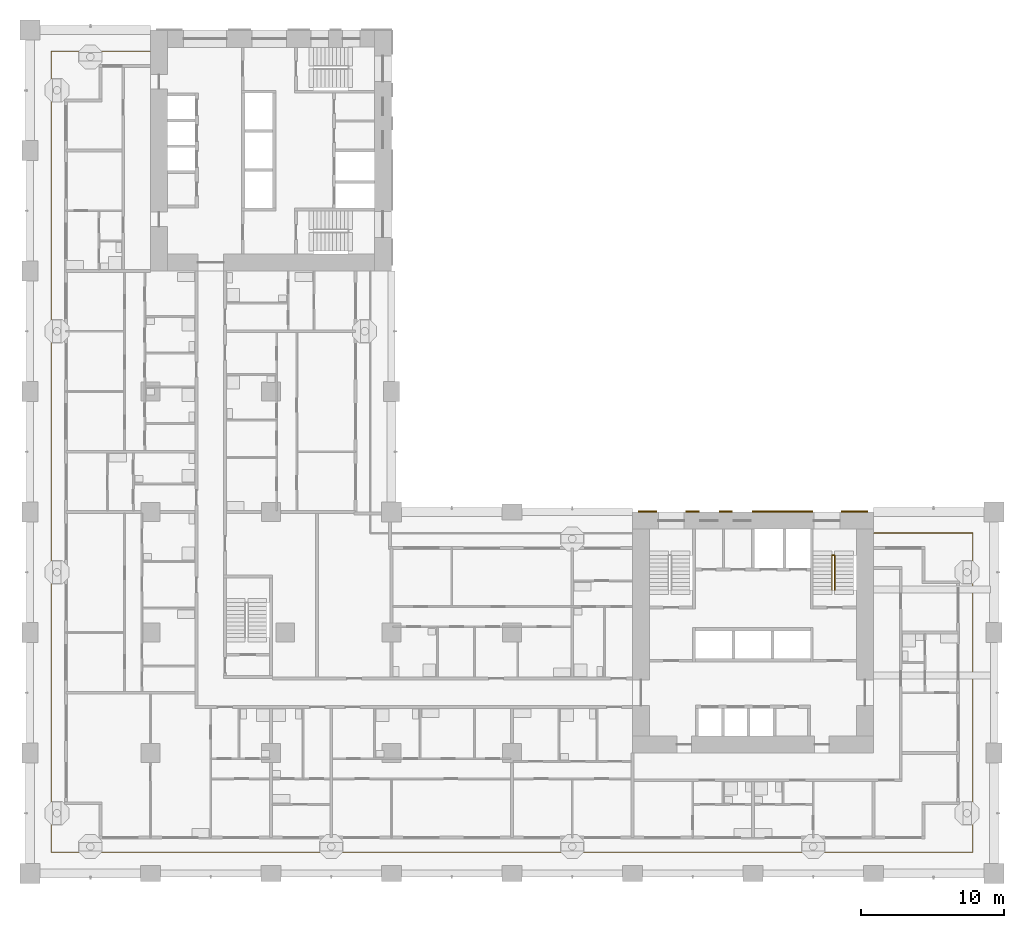
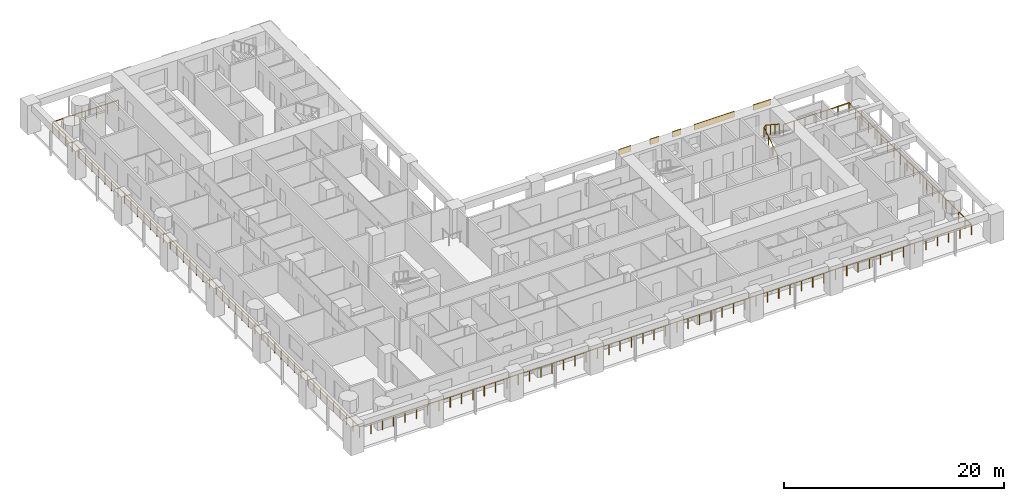
# One storey, part 14 of 21: 5 shading devices, 2 railings.
"""IFC4 building model written with IfcOpenShell, lengths in metres."""

from ifc_helpers import new_model, si_unit, direction, frame, origin, origin_2d, place, context, subcontext, project, spatial, rectangle, circle, extrude, material, layer, layer_set, type_object, element, save


model = new_model("IFC4")

# Units and contexts
model_context = context("Model", 3, precision=1e-05, world=origin(), true_north=direction((0.0, 1.0)))
body_context = subcontext(model_context, "Body", "Model", "MODEL_VIEW")
ifc_project = project(units=[si_unit("LENGTHUNIT", "METRE"), si_unit("AREAUNIT", "SQUARE_METRE"), si_unit("VOLUMEUNIT", "CUBIC_METRE"), si_unit("PLANEANGLEUNIT", "RADIAN"), si_unit("MASSUNIT", "GRAM", prefix="KILO")], contexts=[model_context])

# Site, building, storey
site_placement = place(None, origin())
site = spatial("IfcSite", under=ifc_project, at=site_placement, CompositionType="ELEMENT")
building_placement = place(site_placement, origin())
building = spatial("IfcBuilding", under=site, at=building_placement, Name="Vermilion Gate Residences", CompositionType="ELEMENT")
storey_placement = place(building_placement, frame((0.0, 0.0, 67.199951171875)))
storey = spatial("IfcBuildingStorey", under=building, at=storey_placement, Name="L16", CompositionType="ELEMENT", Elevation=67.199951171875)

# Railings
ifc_material_1 = material(Name="Stainless steel and toughened glass", Category="steel")
railing_type_1 = type_object("IfcRailingType", Name="LOGGIA GUARD STEEL AND GLASS 1200", PredefinedType="GUARDRAIL", material=ifc_material_1)
railing_1_placement = place(storey_placement, frame((8.3779296875, 57.324951171875, 0.0)))
element("IfcRailing", 1, at=railing_1_placement, inside=storey, type_object=railing_type_1, Name="Loggia guard", PredefinedType="GUARDRAIL", context=body_context, shape_type="SweptSolid", body=[
    extrude(circle(Radius=0.030029296875, at=origin_2d()), frame((0.0, 0.0, 1.169921875), z_axis=(-1.0, 0.0, 0.0), x_axis=(0.0, -1.0, 0.0)), (0.0, 0.0, 1.0), 6.90283203125),
    extrude(circle(Radius=0.030029296875, at=origin_2d()), frame((-6.90283203125, 0.0, 1.169921875), z_axis=(0.0, -1.0, 0.0), x_axis=(1.0, 0.0, 0.0)), (0.0, 0.0, 1.0), 55.849853515625),
    extrude(circle(Radius=0.030029296875, at=origin_2d()), frame((-6.90283203125, -55.849853515625, 1.169921875), z_axis=(1.0, 0.0, 0.0), x_axis=(0.0, 1.0, 0.0)), (0.0, 0.0, 1.0), 64.25),
    extrude(circle(Radius=0.030029296875, at=origin_2d()), frame((57.34716796875, -55.849853515625, 1.169921875), z_axis=(0.0, 1.0, 0.0), x_axis=(-1.0, 0.0, 0.0)), (0.0, 0.0, 1.0), 22.25),
    extrude(circle(Radius=0.030029296875, at=origin_2d()), frame((57.34716796875, -33.599853515625, 1.169921875), z_axis=(-1.0, 0.0, 0.0), x_axis=(0.0, -1.0, 0.0)), (0.0, 0.0, 1.0), 6.903076171875),
    extrude(circle(Radius=0.02490234375, at=origin_2d()), origin(), (0.0, 0.0, 1.0), 1.139892578125),
    extrude(circle(Radius=0.02490234375, at=origin_2d()), frame((-1.150390625, 0.0, 0.0)), (0.0, 0.0, 1.0), 1.139892578125),
    extrude(circle(Radius=0.02490234375, at=origin_2d()), frame((-2.301025390625, 0.0, 0.0)), (0.0, 0.0, 1.0), 1.139892578125),
    extrude(circle(Radius=0.02490234375, at=origin_2d()), frame((-3.451416015625, 0.0, 0.0)), (0.0, 0.0, 1.0), 1.139892578125),
    extrude(circle(Radius=0.02490234375, at=origin_2d()), frame((-4.601806640625, 0.0, 0.0)), (0.0, 0.0, 1.0), 1.139892578125),
    extrude(circle(Radius=0.02490234375, at=origin_2d()), frame((-5.75244140625, 0.0, 0.0)), (0.0, 0.0, 1.0), 1.139892578125),
    extrude(circle(Radius=0.02490234375, at=origin_2d()), frame((-6.90283203125, 0.0, 0.0)), (0.0, 0.0, 1.0), 1.139892578125),
    extrude(circle(Radius=0.02490234375, at=origin_2d()), frame((-6.90283203125, -1.188232421875, 0.0)), (0.0, 0.0, 1.0), 1.139892578125),
    extrude(circle(Radius=0.02490234375, at=origin_2d()), frame((-6.90283203125, -2.376708984375, 0.0)), (0.0, 0.0, 1.0), 1.139892578125),
    extrude(circle(Radius=0.02490234375, at=origin_2d()), frame((-6.90283203125, -3.56494140625, 0.0)), (0.0, 0.0, 1.0), 1.139892578125),
    extrude(circle(Radius=0.02490234375, at=origin_2d()), frame((-6.90283203125, -4.753173828125, 0.0)), (0.0, 0.0, 1.0), 1.139892578125),
    extrude(circle(Radius=0.02490234375, at=origin_2d()), frame((-6.90283203125, -5.94140625, 0.0)), (0.0, 0.0, 1.0), 1.139892578125),
    extrude(circle(Radius=0.02490234375, at=origin_2d()), frame((-6.90283203125, -7.1298828125, 0.0)), (0.0, 0.0, 1.0), 1.139892578125),
    extrude(circle(Radius=0.02490234375, at=origin_2d()), frame((-6.90283203125, -8.318115234375, 0.0)), (0.0, 0.0, 1.0), 1.139892578125),
    extrude(circle(Radius=0.02490234375, at=origin_2d()), frame((-6.90283203125, -9.50634765625, 0.0)), (0.0, 0.0, 1.0), 1.139892578125),
    extrude(circle(Radius=0.02490234375, at=origin_2d()), frame((-6.90283203125, -10.694580078125, 0.0)), (0.0, 0.0, 1.0), 1.139892578125),
    extrude(circle(Radius=0.02490234375, at=origin_2d()), frame((-6.90283203125, -11.883056640625, 0.0)), (0.0, 0.0, 1.0), 1.139892578125),
    extrude(circle(Radius=0.02490234375, at=origin_2d()), frame((-6.90283203125, -13.0712890625, 0.0)), (0.0, 0.0, 1.0), 1.139892578125),
    extrude(circle(Radius=0.02490234375, at=origin_2d()), frame((-6.90283203125, -14.259521484375, 0.0)), (0.0, 0.0, 1.0), 1.139892578125),
    extrude(circle(Radius=0.02490234375, at=origin_2d()), frame((-6.90283203125, -15.44775390625, 0.0)), (0.0, 0.0, 1.0), 1.139892578125),
    extrude(circle(Radius=0.02490234375, at=origin_2d()), frame((-6.90283203125, -16.63623046875, 0.0)), (0.0, 0.0, 1.0), 1.139892578125),
    extrude(circle(Radius=0.02490234375, at=origin_2d()), frame((-6.90283203125, -17.824462890625, 0.0)), (0.0, 0.0, 1.0), 1.139892578125),
    extrude(circle(Radius=0.02490234375, at=origin_2d()), frame((-6.90283203125, -19.0126953125, 0.0)), (0.0, 0.0, 1.0), 1.139892578125),
    extrude(circle(Radius=0.02490234375, at=origin_2d()), frame((-6.90283203125, -20.200927734375, 0.0)), (0.0, 0.0, 1.0), 1.139892578125),
    extrude(circle(Radius=0.02490234375, at=origin_2d()), frame((-6.90283203125, -21.389404296875, 0.0)), (0.0, 0.0, 1.0), 1.139892578125),
    extrude(circle(Radius=0.02490234375, at=origin_2d()), frame((-6.90283203125, -22.57763671875, 0.0)), (0.0, 0.0, 1.0), 1.139892578125),
    extrude(circle(Radius=0.02490234375, at=origin_2d()), frame((-6.90283203125, -23.765869140625, 0.0)), (0.0, 0.0, 1.0), 1.139892578125),
    extrude(circle(Radius=0.02490234375, at=origin_2d()), frame((-6.90283203125, -24.9541015625, 0.0)), (0.0, 0.0, 1.0), 1.139892578125),
    extrude(circle(Radius=0.02490234375, at=origin_2d()), frame((-6.90283203125, -26.142578125, 0.0)), (0.0, 0.0, 1.0), 1.139892578125),
    extrude(circle(Radius=0.02490234375, at=origin_2d()), frame((-6.90283203125, -27.330810546875, 0.0)), (0.0, 0.0, 1.0), 1.139892578125),
    extrude(circle(Radius=0.02490234375, at=origin_2d()), frame((-6.90283203125, -28.51904296875, 0.0)), (0.0, 0.0, 1.0), 1.139892578125),
    extrude(circle(Radius=0.02490234375, at=origin_2d()), frame((-6.90283203125, -29.707275390625, 0.0)), (0.0, 0.0, 1.0), 1.139892578125),
    extrude(circle(Radius=0.02490234375, at=origin_2d()), frame((-6.90283203125, -30.895751953125, 0.0)), (0.0, 0.0, 1.0), 1.139892578125),
    extrude(circle(Radius=0.02490234375, at=origin_2d()), frame((-6.90283203125, -32.083984375, 0.0)), (0.0, 0.0, 1.0), 1.139892578125),
    extrude(circle(Radius=0.02490234375, at=origin_2d()), frame((-6.90283203125, -33.272216796875, 0.0)), (0.0, 0.0, 1.0), 1.139892578125),
    extrude(circle(Radius=0.02490234375, at=origin_2d()), frame((-6.90283203125, -34.46044921875, 0.0)), (0.0, 0.0, 1.0), 1.139892578125),
    extrude(circle(Radius=0.02490234375, at=origin_2d()), frame((-6.90283203125, -35.64892578125, 0.0)), (0.0, 0.0, 1.0), 1.139892578125),
    extrude(circle(Radius=0.02490234375, at=origin_2d()), frame((-6.90283203125, -36.837158203125, 0.0)), (0.0, 0.0, 1.0), 1.139892578125),
    extrude(circle(Radius=0.02490234375, at=origin_2d()), frame((-6.90283203125, -38.025390625, 0.0)), (0.0, 0.0, 1.0), 1.139892578125),
    extrude(circle(Radius=0.02490234375, at=origin_2d()), frame((-6.90283203125, -39.213623046875, 0.0)), (0.0, 0.0, 1.0), 1.139892578125),
    extrude(circle(Radius=0.02490234375, at=origin_2d()), frame((-6.90283203125, -40.402099609375, 0.0)), (0.0, 0.0, 1.0), 1.139892578125),
    extrude(circle(Radius=0.02490234375, at=origin_2d()), frame((-6.90283203125, -41.59033203125, 0.0)), (0.0, 0.0, 1.0), 1.139892578125),
    extrude(circle(Radius=0.02490234375, at=origin_2d()), frame((-6.90283203125, -42.778564453125, 0.0)), (0.0, 0.0, 1.0), 1.139892578125),
    extrude(circle(Radius=0.02490234375, at=origin_2d()), frame((-6.90283203125, -43.966796875, 0.0)), (0.0, 0.0, 1.0), 1.139892578125),
    extrude(circle(Radius=0.02490234375, at=origin_2d()), frame((-6.90283203125, -45.1552734375, 0.0)), (0.0, 0.0, 1.0), 1.139892578125),
    extrude(circle(Radius=0.02490234375, at=origin_2d()), frame((-6.90283203125, -46.343505859375, 0.0)), (0.0, 0.0, 1.0), 1.139892578125),
    extrude(circle(Radius=0.02490234375, at=origin_2d()), frame((-6.90283203125, -47.53173828125, 0.0)), (0.0, 0.0, 1.0), 1.139892578125),
    extrude(circle(Radius=0.02490234375, at=origin_2d()), frame((-6.90283203125, -48.719970703125, 0.0)), (0.0, 0.0, 1.0), 1.139892578125),
    extrude(circle(Radius=0.02490234375, at=origin_2d()), frame((-6.90283203125, -49.908447265625, 0.0)), (0.0, 0.0, 1.0), 1.139892578125),
    extrude(circle(Radius=0.02490234375, at=origin_2d()), frame((-6.90283203125, -51.0966796875, 0.0)), (0.0, 0.0, 1.0), 1.139892578125),
    extrude(circle(Radius=0.02490234375, at=origin_2d()), frame((-6.90283203125, -52.284912109375, 0.0)), (0.0, 0.0, 1.0), 1.139892578125),
    extrude(circle(Radius=0.02490234375, at=origin_2d()), frame((-6.90283203125, -53.47314453125, 0.0)), (0.0, 0.0, 1.0), 1.139892578125),
    extrude(circle(Radius=0.02490234375, at=origin_2d()), frame((-6.90283203125, -54.66162109375, 0.0)), (0.0, 0.0, 1.0), 1.139892578125),
    extrude(circle(Radius=0.02490234375, at=origin_2d()), frame((-6.90283203125, -55.849853515625, 0.0)), (0.0, 0.0, 1.0), 1.139892578125),
    extrude(circle(Radius=0.02490234375, at=origin_2d()), frame((-5.713134765625, -55.849853515625, 0.0)), (0.0, 0.0, 1.0), 1.139892578125),
    extrude(circle(Radius=0.02490234375, at=origin_2d()), frame((-4.523193359375, -55.849853515625, 0.0)), (0.0, 0.0, 1.0), 1.139892578125),
    extrude(circle(Radius=0.02490234375, at=origin_2d()), frame((-3.33349609375, -55.849853515625, 0.0)), (0.0, 0.0, 1.0), 1.139892578125),
    extrude(circle(Radius=0.02490234375, at=origin_2d()), frame((-2.1435546875, -55.849853515625, 0.0)), (0.0, 0.0, 1.0), 1.139892578125),
    extrude(circle(Radius=0.02490234375, at=origin_2d()), frame((-0.953857421875, -55.849853515625, 0.0)), (0.0, 0.0, 1.0), 1.139892578125),
    extrude(circle(Radius=0.02490234375, at=origin_2d()), frame((0.236083984375, -55.849853515625, 0.0)), (0.0, 0.0, 1.0), 1.139892578125),
    extrude(circle(Radius=0.02490234375, at=origin_2d()), frame((1.42578125, -55.849853515625, 0.0)), (0.0, 0.0, 1.0), 1.139892578125),
    extrude(circle(Radius=0.02490234375, at=origin_2d()), frame((2.61572265625, -55.849853515625, 0.0)), (0.0, 0.0, 1.0), 1.139892578125),
    extrude(circle(Radius=0.02490234375, at=origin_2d()), frame((3.805419921875, -55.849853515625, 0.0)), (0.0, 0.0, 1.0), 1.139892578125),
    extrude(circle(Radius=0.02490234375, at=origin_2d()), frame((4.995361328125, -55.849853515625, 0.0)), (0.0, 0.0, 1.0), 1.139892578125),
    extrude(circle(Radius=0.02490234375, at=origin_2d()), frame((6.18505859375, -55.849853515625, 0.0)), (0.0, 0.0, 1.0), 1.139892578125),
    extrude(circle(Radius=0.02490234375, at=origin_2d()), frame((7.375, -55.849853515625, 0.0)), (0.0, 0.0, 1.0), 1.139892578125),
    extrude(circle(Radius=0.02490234375, at=origin_2d()), frame((8.564697265625, -55.849853515625, 0.0)), (0.0, 0.0, 1.0), 1.139892578125),
    extrude(circle(Radius=0.02490234375, at=origin_2d()), frame((9.754638671875, -55.849853515625, 0.0)), (0.0, 0.0, 1.0), 1.139892578125),
    extrude(circle(Radius=0.02490234375, at=origin_2d()), frame((10.9443359375, -55.849853515625, 0.0)), (0.0, 0.0, 1.0), 1.139892578125),
    extrude(circle(Radius=0.02490234375, at=origin_2d()), frame((12.13427734375, -55.849853515625, 0.0)), (0.0, 0.0, 1.0), 1.139892578125),
    extrude(circle(Radius=0.02490234375, at=origin_2d()), frame((13.323974609375, -55.849853515625, 0.0)), (0.0, 0.0, 1.0), 1.139892578125),
    extrude(circle(Radius=0.02490234375, at=origin_2d()), frame((14.513916015625, -55.849853515625, 0.0)), (0.0, 0.0, 1.0), 1.139892578125),
    extrude(circle(Radius=0.02490234375, at=origin_2d()), frame((15.70361328125, -55.849853515625, 0.0)), (0.0, 0.0, 1.0), 1.139892578125),
    extrude(circle(Radius=0.02490234375, at=origin_2d()), frame((16.8935546875, -55.849853515625, 0.0)), (0.0, 0.0, 1.0), 1.139892578125),
    extrude(circle(Radius=0.02490234375, at=origin_2d()), frame((18.083251953125, -55.849853515625, 0.0)), (0.0, 0.0, 1.0), 1.139892578125),
    extrude(circle(Radius=0.02490234375, at=origin_2d()), frame((19.273193359375, -55.849853515625, 0.0)), (0.0, 0.0, 1.0), 1.139892578125),
    extrude(circle(Radius=0.02490234375, at=origin_2d()), frame((20.462890625, -55.849853515625, 0.0)), (0.0, 0.0, 1.0), 1.139892578125),
    extrude(circle(Radius=0.02490234375, at=origin_2d()), frame((21.65283203125, -55.849853515625, 0.0)), (0.0, 0.0, 1.0), 1.139892578125),
    extrude(circle(Radius=0.02490234375, at=origin_2d()), frame((22.842529296875, -55.849853515625, 0.0)), (0.0, 0.0, 1.0), 1.139892578125),
    extrude(circle(Radius=0.02490234375, at=origin_2d()), frame((24.032470703125, -55.849853515625, 0.0)), (0.0, 0.0, 1.0), 1.139892578125),
    extrude(circle(Radius=0.02490234375, at=origin_2d()), frame((25.22216796875, -55.849853515625, 0.0)), (0.0, 0.0, 1.0), 1.139892578125),
    extrude(circle(Radius=0.02490234375, at=origin_2d()), frame((26.411865234375, -55.849853515625, 0.0)), (0.0, 0.0, 1.0), 1.139892578125),
    extrude(circle(Radius=0.02490234375, at=origin_2d()), frame((27.601806640625, -55.849853515625, 0.0)), (0.0, 0.0, 1.0), 1.139892578125),
    extrude(circle(Radius=0.02490234375, at=origin_2d()), frame((28.79150390625, -55.849853515625, 0.0)), (0.0, 0.0, 1.0), 1.139892578125),
    extrude(circle(Radius=0.02490234375, at=origin_2d()), frame((29.9814453125, -55.849853515625, 0.0)), (0.0, 0.0, 1.0), 1.139892578125),
    extrude(circle(Radius=0.02490234375, at=origin_2d()), frame((31.171142578125, -55.849853515625, 0.0)), (0.0, 0.0, 1.0), 1.139892578125),
    extrude(circle(Radius=0.02490234375, at=origin_2d()), frame((32.361083984375, -55.849853515625, 0.0)), (0.0, 0.0, 1.0), 1.139892578125),
    extrude(circle(Radius=0.02490234375, at=origin_2d()), frame((33.55078125, -55.849853515625, 0.0)), (0.0, 0.0, 1.0), 1.139892578125),
    extrude(circle(Radius=0.02490234375, at=origin_2d()), frame((34.74072265625, -55.849853515625, 0.0)), (0.0, 0.0, 1.0), 1.139892578125),
    extrude(circle(Radius=0.02490234375, at=origin_2d()), frame((35.930419921875, -55.849853515625, 0.0)), (0.0, 0.0, 1.0), 1.139892578125),
    extrude(circle(Radius=0.02490234375, at=origin_2d()), frame((37.120361328125, -55.849853515625, 0.0)), (0.0, 0.0, 1.0), 1.139892578125),
    extrude(circle(Radius=0.02490234375, at=origin_2d()), frame((38.31005859375, -55.849853515625, 0.0)), (0.0, 0.0, 1.0), 1.139892578125),
    extrude(circle(Radius=0.02490234375, at=origin_2d()), frame((39.5, -55.849853515625, 0.0)), (0.0, 0.0, 1.0), 1.139892578125),
    extrude(circle(Radius=0.02490234375, at=origin_2d()), frame((40.689697265625, -55.849853515625, 0.0)), (0.0, 0.0, 1.0), 1.139892578125),
    extrude(circle(Radius=0.02490234375, at=origin_2d()), frame((41.879638671875, -55.849853515625, 0.0)), (0.0, 0.0, 1.0), 1.139892578125),
    extrude(circle(Radius=0.02490234375, at=origin_2d()), frame((43.0693359375, -55.849853515625, 0.0)), (0.0, 0.0, 1.0), 1.139892578125),
    extrude(circle(Radius=0.02490234375, at=origin_2d()), frame((44.25927734375, -55.849853515625, 0.0)), (0.0, 0.0, 1.0), 1.139892578125),
    extrude(circle(Radius=0.02490234375, at=origin_2d()), frame((45.448974609375, -55.849853515625, 0.0)), (0.0, 0.0, 1.0), 1.139892578125),
    extrude(circle(Radius=0.02490234375, at=origin_2d()), frame((46.638916015625, -55.849853515625, 0.0)), (0.0, 0.0, 1.0), 1.139892578125),
    extrude(circle(Radius=0.02490234375, at=origin_2d()), frame((47.82861328125, -55.849853515625, 0.0)), (0.0, 0.0, 1.0), 1.139892578125),
    extrude(circle(Radius=0.02490234375, at=origin_2d()), frame((49.0185546875, -55.849853515625, 0.0)), (0.0, 0.0, 1.0), 1.139892578125),
    extrude(circle(Radius=0.02490234375, at=origin_2d()), frame((50.208251953125, -55.849853515625, 0.0)), (0.0, 0.0, 1.0), 1.139892578125),
    extrude(circle(Radius=0.02490234375, at=origin_2d()), frame((51.398193359375, -55.849853515625, 0.0)), (0.0, 0.0, 1.0), 1.139892578125),
    extrude(circle(Radius=0.02490234375, at=origin_2d()), frame((52.587890625, -55.849853515625, 0.0)), (0.0, 0.0, 1.0), 1.139892578125),
    extrude(circle(Radius=0.02490234375, at=origin_2d()), frame((53.77783203125, -55.849853515625, 0.0)), (0.0, 0.0, 1.0), 1.139892578125),
    extrude(circle(Radius=0.02490234375, at=origin_2d()), frame((54.967529296875, -55.849853515625, 0.0)), (0.0, 0.0, 1.0), 1.139892578125),
    extrude(circle(Radius=0.02490234375, at=origin_2d()), frame((56.157470703125, -55.849853515625, 0.0)), (0.0, 0.0, 1.0), 1.139892578125),
    extrude(circle(Radius=0.02490234375, at=origin_2d()), frame((57.34716796875, -55.849853515625, 0.0)), (0.0, 0.0, 1.0), 1.139892578125),
    extrude(circle(Radius=0.02490234375, at=origin_2d()), frame((57.34716796875, -54.6787109375, 0.0)), (0.0, 0.0, 1.0), 1.139892578125),
    extrude(circle(Radius=0.02490234375, at=origin_2d()), frame((57.34716796875, -53.5078125, 0.0)), (0.0, 0.0, 1.0), 1.139892578125),
    extrude(circle(Radius=0.02490234375, at=origin_2d()), frame((57.34716796875, -52.336669921875, 0.0)), (0.0, 0.0, 1.0), 1.139892578125),
    extrude(circle(Radius=0.02490234375, at=origin_2d()), frame((57.34716796875, -51.16552734375, 0.0)), (0.0, 0.0, 1.0), 1.139892578125),
    extrude(circle(Radius=0.02490234375, at=origin_2d()), frame((57.34716796875, -49.99462890625, 0.0)), (0.0, 0.0, 1.0), 1.139892578125),
    extrude(circle(Radius=0.02490234375, at=origin_2d()), frame((57.34716796875, -48.823486328125, 0.0)), (0.0, 0.0, 1.0), 1.139892578125),
    extrude(circle(Radius=0.02490234375, at=origin_2d()), frame((57.34716796875, -47.652587890625, 0.0)), (0.0, 0.0, 1.0), 1.139892578125),
    extrude(circle(Radius=0.02490234375, at=origin_2d()), frame((57.34716796875, -46.4814453125, 0.0)), (0.0, 0.0, 1.0), 1.139892578125),
    extrude(circle(Radius=0.02490234375, at=origin_2d()), frame((57.34716796875, -45.310302734375, 0.0)), (0.0, 0.0, 1.0), 1.139892578125),
    extrude(circle(Radius=0.02490234375, at=origin_2d()), frame((57.34716796875, -44.139404296875, 0.0)), (0.0, 0.0, 1.0), 1.139892578125),
    extrude(circle(Radius=0.02490234375, at=origin_2d()), frame((57.34716796875, -42.96826171875, 0.0)), (0.0, 0.0, 1.0), 1.139892578125),
    extrude(circle(Radius=0.02490234375, at=origin_2d()), frame((57.34716796875, -41.797119140625, 0.0)), (0.0, 0.0, 1.0), 1.139892578125),
    extrude(circle(Radius=0.02490234375, at=origin_2d()), frame((57.34716796875, -40.626220703125, 0.0)), (0.0, 0.0, 1.0), 1.139892578125),
    extrude(circle(Radius=0.02490234375, at=origin_2d()), frame((57.34716796875, -39.455078125, 0.0)), (0.0, 0.0, 1.0), 1.139892578125),
    extrude(circle(Radius=0.02490234375, at=origin_2d()), frame((57.34716796875, -38.2841796875, 0.0)), (0.0, 0.0, 1.0), 1.139892578125),
    extrude(circle(Radius=0.02490234375, at=origin_2d()), frame((57.34716796875, -37.113037109375, 0.0)), (0.0, 0.0, 1.0), 1.139892578125),
    extrude(circle(Radius=0.02490234375, at=origin_2d()), frame((57.34716796875, -35.94189453125, 0.0)), (0.0, 0.0, 1.0), 1.139892578125),
    extrude(circle(Radius=0.02490234375, at=origin_2d()), frame((57.34716796875, -34.77099609375, 0.0)), (0.0, 0.0, 1.0), 1.139892578125),
    extrude(circle(Radius=0.02490234375, at=origin_2d()), frame((57.34716796875, -33.599853515625, 0.0)), (0.0, 0.0, 1.0), 1.139892578125),
    extrude(circle(Radius=0.02490234375, at=origin_2d()), frame((56.19677734375, -33.599853515625, 0.0)), (0.0, 0.0, 1.0), 1.139892578125),
    extrude(circle(Radius=0.02490234375, at=origin_2d()), frame((55.046142578125, -33.599853515625, 0.0)), (0.0, 0.0, 1.0), 1.139892578125),
    extrude(circle(Radius=0.02490234375, at=origin_2d()), frame((53.8955078125, -33.599853515625, 0.0)), (0.0, 0.0, 1.0), 1.139892578125),
    extrude(circle(Radius=0.02490234375, at=origin_2d()), frame((52.7451171875, -33.599853515625, 0.0)), (0.0, 0.0, 1.0), 1.139892578125),
    extrude(circle(Radius=0.02490234375, at=origin_2d()), frame((51.5947265625, -33.599853515625, 0.0)), (0.0, 0.0, 1.0), 1.139892578125),
    extrude(circle(Radius=0.02490234375, at=origin_2d()), frame((50.444091796875, -33.599853515625, 0.0)), (0.0, 0.0, 1.0), 1.139892578125),
])
ifc_material_2 = material(Name="Steel S355", Category="steel")
railing_type_2 = type_object("IfcRailingType", Name="STAIR GUARD 1100 STEEL", PredefinedType="GUARDRAIL", material=ifc_material_2)
railing_2_placement = place(storey_placement, frame((55.89990234375, 19.75, 0.175048828125)))
element("IfcRailing", 2, at=railing_2_placement, inside=storey, type_object=railing_type_2, Name="Stair well guard STA2-16", PredefinedType="GUARDRAIL", context=body_context, shape_type="SweptSolid", body=[
    extrude(circle(Radius=0.02392578125, at=origin_2d()), frame((0.0, 0.0, 1.076171875), z_axis=(0.0, 0.839153699163, 0.543894354798), x_axis=(-1.0, 0.0, 0.0)), (0.0, 0.0, 1.0), 2.895751953125),
    extrude(circle(Radius=0.02392578125, at=origin_2d()), frame((0.0, 2.429931640625, 2.65087890625), z_axis=(0.752804132164, 0.0, 0.658244588734), x_axis=(0.0, 1.0, 0.0)), (0.0, 0.0, 1.0), 0.265869140625),
    extrude(circle(Radius=0.02392578125, at=origin_2d()), frame((0.2001953125, 2.429931640625, 2.826171875), z_axis=(0.0, -0.839153699163, 0.543894354798), x_axis=(1.0, 0.0, 0.0)), (0.0, 0.0, 1.0), 2.895751953125),
    extrude(circle(Radius=0.02099609375, at=origin_2d()), origin(), (0.0, 0.0, 1.0), 1.052001953125),
    extrude(circle(Radius=0.02099609375, at=origin_2d()), frame((0.0, 0.81005859375, 0.52490234375)), (0.0, 0.0, 1.0), 1.052001953125),
    extrude(circle(Radius=0.02099609375, at=origin_2d()), frame((0.0, 1.619873046875, 1.050048828125)), (0.0, 0.0, 1.0), 1.052001953125),
    extrude(circle(Radius=0.02099609375, at=origin_2d()), frame((0.0, 2.429931640625, 1.574951171875)), (0.0, 0.0, 1.0), 1.052001953125),
    extrude(circle(Radius=0.02099609375, at=origin_2d()), frame((0.2001953125, 2.429931640625, 1.75)), (0.0, 0.0, 1.0), 1.052001953125),
    extrude(circle(Radius=0.02099609375, at=origin_2d()), frame((0.2001953125, 1.619873046875, 2.27490234375)), (0.0, 0.0, 1.0), 1.052001953125),
    extrude(circle(Radius=0.02099609375, at=origin_2d()), frame((0.2001953125, 0.81005859375, 2.800048828125)), (0.0, 0.0, 1.0), 1.052001953125),
    extrude(circle(Radius=0.02099609375, at=origin_2d()), frame((0.2001953125, 0.0, 3.324951171875)), (0.0, 0.0, 1.0), 1.052001953125),
])

# Shading devices
ifc_material_3 = material(Name="Extruded terracotta", Category="masonry")
ifc_layer = layer(ifc_material_3, 0.10009765625)
ifc_layer_set = layer_set([ifc_layer], Name="TERRACOTTA SPANDREL BAND 600 X 100")
shading_device_type = type_object("IfcShadingDeviceType", Name="TERRACOTTA SPANDREL BAND 600 X 100", PredefinedType="USERDEFINED", material=ifc_layer_set)
shading_device_1_placement = place(storey_placement, frame((43.050048828125, 25.25, 2.6201171875), z_axis=(0.0, 0.0, 1.0), x_axis=(1.0, 0.0, 0.0)))
element("IfcShadingDevice", 3, at=shading_device_1_placement, inside=storey, type_object=shading_device_type, Name="SPANDREL BAND", ObjectType="BAND", PredefinedType="USERDEFINED", context=body_context, shape_type="SweptSolid", body=[
    extrude(rectangle(XDim=1.300048828125, YDim=0.10009765625, at=origin_2d()), origin(), (0.0, 0.0, 1.0), 0.60009765625),
])
shading_device_2_placement = place(storey_placement, frame((46.168701171875, 25.25, 2.6201171875), z_axis=(0.0, 0.0, 1.0), x_axis=(1.0, 0.0, 0.0)))
element("IfcShadingDevice", 4, at=shading_device_2_placement, inside=storey, type_object=shading_device_type, Name="SPANDREL BAND", ObjectType="BAND", PredefinedType="USERDEFINED", context=body_context, shape_type="SweptSolid", body=[
    extrude(rectangle(XDim=0.9375, YDim=0.10009765625, at=origin_2d()), origin(), (0.0, 0.0, 1.0), 0.60009765625),
])
shading_device_3_placement = place(storey_placement, frame((48.49365234375, 25.25, 2.6201171875), z_axis=(0.0, 0.0, 1.0), x_axis=(1.0, 0.0, 0.0)))
element("IfcShadingDevice", 5, at=shading_device_3_placement, inside=storey, type_object=shading_device_type, Name="SPANDREL BAND", ObjectType="BAND", PredefinedType="USERDEFINED", context=body_context, shape_type="SweptSolid", body=[
    extrude(rectangle(XDim=0.91259765625, YDim=0.10009765625, at=origin_2d()), origin(), (0.0, 0.0, 1.0), 0.60009765625),
])
shading_device_4_placement = place(storey_placement, frame((52.449951171875, 25.25, 2.6201171875), z_axis=(0.0, 0.0, 1.0), x_axis=(1.0, 0.0, 0.0)))
element("IfcShadingDevice", 6, at=shading_device_4_placement, inside=storey, type_object=shading_device_type, Name="SPANDREL BAND", ObjectType="BAND", PredefinedType="USERDEFINED", context=body_context, shape_type="SweptSolid", body=[
    extrude(rectangle(XDim=4.199951171875, YDim=0.10009765625, at=origin_2d()), origin(), (0.0, 0.0, 1.0), 0.60009765625),
])
shading_device_5_placement = place(storey_placement, frame((57.47509765625, 25.25, 2.6201171875), z_axis=(0.0, 0.0, 1.0), x_axis=(1.0, 0.0, 0.0)))
element("IfcShadingDevice", 7, at=shading_device_5_placement, inside=storey, type_object=shading_device_type, Name="SPANDREL BAND", ObjectType="BAND", PredefinedType="USERDEFINED", context=body_context, shape_type="SweptSolid", body=[
    extrude(rectangle(XDim=1.85009765625, YDim=0.10009765625, at=origin_2d()), origin(), (0.0, 0.0, 1.0), 0.60009765625),
])

save(model, "model.ifc")
